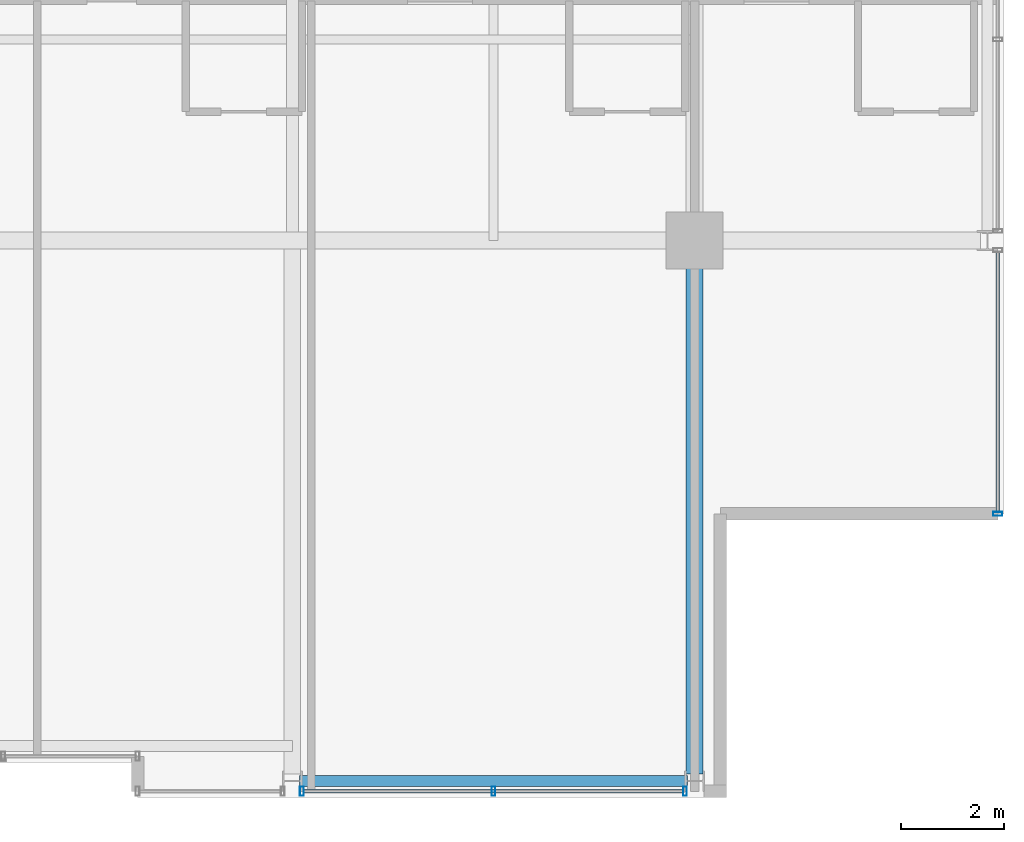
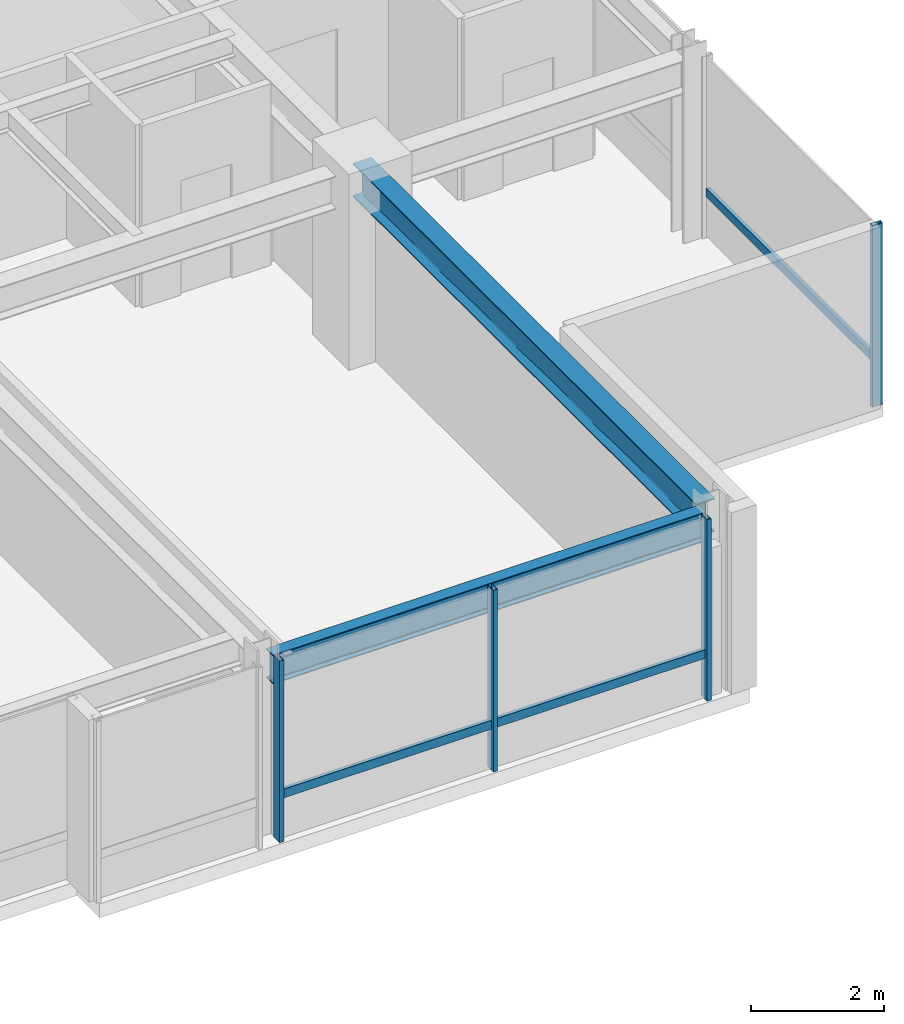
# One storey, part 12 of 32: 6 members, 2 beams, 2 elements without a shape of their own.
"""IFC4 building model written with IfcOpenShell, lengths in metres."""

from ifc_helpers import new_model, si_unit, direction, frame, origin, origin_2d, place, context, subcontext, project, spatial, hollow_rectangle, i_section, extrude, material, layer, layer_set, material_profile, profile_set, type_object, element, aggregate, save


model = new_model("IFC4")

# Units and contexts
model_context = context("Model", 3, precision=1e-05, world=origin(), true_north=direction((0.0, 1.0)))
body_context = subcontext(model_context, "Body", "Model", "MODEL_VIEW")
ifc_project = project(units=[si_unit("LENGTHUNIT", "METRE"), si_unit("AREAUNIT", "SQUARE_METRE"), si_unit("VOLUMEUNIT", "CUBIC_METRE"), si_unit("PLANEANGLEUNIT", "RADIAN"), si_unit("MASSUNIT", "GRAM", prefix="KILO")], contexts=[model_context])

# Site, building, storey
site_placement = place(None, origin())
site = spatial("IfcSite", under=ifc_project, at=site_placement, CompositionType="ELEMENT")
building_placement = place(site_placement, origin())
building = spatial("IfcBuilding", under=site, at=building_placement, Name="Drelvath Grand Hotel", CompositionType="ELEMENT")
storey_placement = place(building_placement, frame((0.0, 0.0, 226.699951171875)))
storey = spatial("IfcBuildingStorey", under=building, at=storey_placement, Name="L59", CompositionType="ELEMENT", Elevation=226.699951171875)

# Curtain wall, member
ifc_material_1 = material(Name="Platinum-Mist Anodised Aluminium Frame", Category="aluminium")
ifc_layer = layer(ifc_material_1, 0.199951171875)
ifc_layer_set = layer_set([ifc_layer], Name="Platinum-Mist Anodised Aluminium Frame")
curtain_wall_type = type_object("IfcCurtainWallType", Name="Stick Curtain Wall CW-05 Platinum Mist High-Rise", PredefinedType="NOTDEFINED", material=ifc_layer_set)
curtain_wall_1_placement = place(storey_placement, origin())
curtain_wall_1 = element("IfcCurtainWall", 1, at=curtain_wall_1_placement, inside=storey, type_object=curtain_wall_type, Name="L59 CW-05 Curtain Wall CW05-L59-ES1", PredefinedType="NOTDEFINED")
ifc_material_profile_1 = material_profile(ifc_material_1, hollow_rectangle(XDim=0.06494140625, YDim=0.159912109375, WallThickness=0.00390625, at=origin_2d()), Name="HSS160X65X4")
ifc_profile_set_1 = profile_set([ifc_material_profile_1], Name="Platinum-Mist Anodised Aluminium Frame")
member_type_1 = type_object("IfcMemberType", Name="Curtain Wall Horizontal Transom CW-05 HSS160X65X4", PredefinedType="USERDEFINED", material=ifc_profile_set_1)
member_1_placement = place(storey_placement, frame((22.080078125, 10.57470703125, 0.8349609375), z_axis=(0.0, -1.0, 0.0), x_axis=(1.0, 0.0, 0.0)))
member_1 = element("IfcMember", 2, at=member_1_placement, type_object=member_type_1, Name="CW05-L59-ES1 Sill Transom", ObjectType="TRANSOM", PredefinedType="USERDEFINED", context=body_context, shape_type="SweptSolid", body=[
    extrude(hollow_rectangle(XDim=0.06494140625, YDim=0.159912109375, WallThickness=0.00390625, at=origin_2d()), origin(), (0.0, 0.0, 1.0), 5.03466796875),
])

curtain_wall_2_placement = place(storey_placement, origin())
curtain_wall_2 = element("IfcCurtainWall", 3, at=curtain_wall_2_placement, inside=storey, type_object=curtain_wall_type, Name="L59 CW-05 Curtain Wall CW05-L59-SE2", PredefinedType="NOTDEFINED")
member_2_placement = place(storey_placement, frame((15.974609375, 0.1201171875, 0.8349609375), z_axis=(-1.0, 0.0, 0.0), x_axis=(0.0, -1.0, 0.0)))
member_2 = element("IfcMember", 4, at=member_2_placement, type_object=member_type_1, Name="CW05-L59-SE2 Sill Transom", ObjectType="TRANSOM", PredefinedType="USERDEFINED", context=body_context, shape_type="SweptSolid", body=[
    extrude(hollow_rectangle(XDim=0.06494140625, YDim=0.159912109375, WallThickness=0.00390625, at=origin_2d()), origin(), (0.0, 0.0, 1.0), 7.349365234375),
])

# Member
ifc_material_profile_2 = material_profile(ifc_material_1, hollow_rectangle(XDim=0.074951171875, YDim=0.179931640625, WallThickness=0.0048828125, at=origin_2d()), Name="HSS180X75X5")
ifc_profile_set_2 = profile_set([ifc_material_profile_2], Name="Platinum-Mist Anodised Aluminium Frame")
member_type_2 = type_object("IfcMemberType", Name="Curtain Wall Vertical Mullion CW-05 HSS180X75X5", PredefinedType="MULLION", material=ifc_profile_set_2)
member_3_placement = place(storey_placement, frame((22.080078125, 5.5, 0.0), z_axis=(0.0, 0.0, 1.0), x_axis=(0.0, 1.0, 0.0)))
member_3 = element("IfcMember", 5, at=member_3_placement, type_object=member_type_2, Name="CW05-L59-ES1 Mullion 2", PredefinedType="MULLION", context=body_context, shape_type="SweptSolid", body=[
    extrude(hollow_rectangle(XDim=0.074951171875, YDim=0.179931640625, WallThickness=0.0048828125, at=origin_2d()), origin(), (0.0, 0.0, 1.0), 3.340087890625),
])

aggregate(curtain_wall_1, [member_3, member_1])

member_4_placement = place(storey_placement, frame((16.0146484375, 0.1201171875, 0.0), z_axis=(0.0, 0.0, 1.0), x_axis=(1.0, 0.0, 0.0)))
member_4 = element("IfcMember", 6, at=member_4_placement, type_object=member_type_2, Name="CW05-L59-SE2 Mullion 1", PredefinedType="MULLION", context=body_context, shape_type="SweptSolid", body=[
    extrude(hollow_rectangle(XDim=0.074951171875, YDim=0.179931640625, WallThickness=0.0048828125, at=origin_2d()), origin(), (0.0, 0.0, 1.0), 3.340087890625),
])

member_5_placement = place(storey_placement, frame((12.300048828125, 0.1201171875, 0.0), z_axis=(0.0, 0.0, 1.0), x_axis=(1.0, 0.0, 0.0)))
member_5 = element("IfcMember", 7, at=member_5_placement, type_object=member_type_2, Name="CW05-L59-SE2 Mullion 2", PredefinedType="MULLION", context=body_context, shape_type="SweptSolid", body=[
    extrude(hollow_rectangle(XDim=0.074951171875, YDim=0.179931640625, WallThickness=0.0048828125, at=origin_2d()), origin(), (0.0, 0.0, 1.0), 3.340087890625),
])

member_6_placement = place(storey_placement, frame((8.585205078125, 0.1201171875, 0.0), z_axis=(0.0, 0.0, 1.0), x_axis=(1.0, 0.0, 0.0)))
member_6 = element("IfcMember", 8, at=member_6_placement, type_object=member_type_2, Name="CW05-L59-SE2 Mullion 3", PredefinedType="MULLION", context=body_context, shape_type="SweptSolid", body=[
    extrude(hollow_rectangle(XDim=0.074951171875, YDim=0.179931640625, WallThickness=0.0048828125, at=origin_2d()), origin(), (0.0, 0.0, 1.0), 3.340087890625),
])

aggregate(curtain_wall_2, [member_4, member_5, member_6, member_2])

# Beams
ifc_material_2 = material(Name="Steel ASTM A992 Gr 50", Category="steel")
ifc_material_profile_3 = material_profile(ifc_material_2, i_section(OverallWidth=0.210205078125, OverallDepth=0.53662109375, WebThickness=0.010986328125, FlangeThickness=0.017333984375, FilletRadius=0.01806640625, at=origin_2d()), Name="W21X68")
ifc_profile_set_3 = profile_set([ifc_material_profile_3], Name="Steel ASTM A992 Gr 50")
beam_type_1 = type_object("IfcBeamType", Name="Perimeter Spandrel Beam W21X68", PredefinedType="SPANDREL", material=ifc_profile_set_3)
beam_1_placement = place(storey_placement, frame((8.5400390625, 0.320068359375, 3.071533203125), z_axis=(1.0, 0.0, 0.0), x_axis=(0.0, 1.0, 0.0)))
element("IfcBeam", 9, at=beam_1_placement, inside=storey, type_object=beam_type_1, Name="L59 Spandrel South E", PredefinedType="SPANDREL", context=body_context, shape_type="SweptSolid", body=[
    extrude(i_section(OverallWidth=0.210205078125, OverallDepth=0.53662109375, WebThickness=0.010986328125, FlangeThickness=0.017333984375, FilletRadius=0.01806640625, at=origin_2d()), origin(), (0.0, 0.0, 1.0), 7.52001953125),
])
ifc_material_profile_4 = material_profile(ifc_material_2, i_section(OverallWidth=0.323974609375, OverallDepth=0.611083984375, WebThickness=0.0126953125, FlangeThickness=0.01904296875, FilletRadius=0.02197265625, at=origin_2d()), Name="W24X104")
ifc_profile_set_4 = profile_set([ifc_material_profile_4], Name="Steel ASTM A992 Gr 50")
beam_type_2 = type_object("IfcBeamType", Name="Primary Floor Girder W24X104", PredefinedType="BEAM", material=ifc_profile_set_4)
beam_2_placement = place(storey_placement, frame((16.199951171875, 0.4599609375, 3.034423828125), z_axis=(0.0, 1.0, 0.0), x_axis=(-1.0, 0.0, 0.0)))
element("IfcBeam", 10, at=beam_2_placement, inside=storey, type_object=beam_type_2, Name="L59 South Grid Girder 7", PredefinedType="BEAM", context=body_context, shape_type="SweptSolid", body=[
    extrude(i_section(OverallWidth=0.323974609375, OverallDepth=0.611083984375, WebThickness=0.0126953125, FlangeThickness=0.01904296875, FilletRadius=0.02197265625, at=origin_2d()), origin(), (0.0, 0.0, 1.0), 10.340087890625),
])

save(model, "model.ifc")
